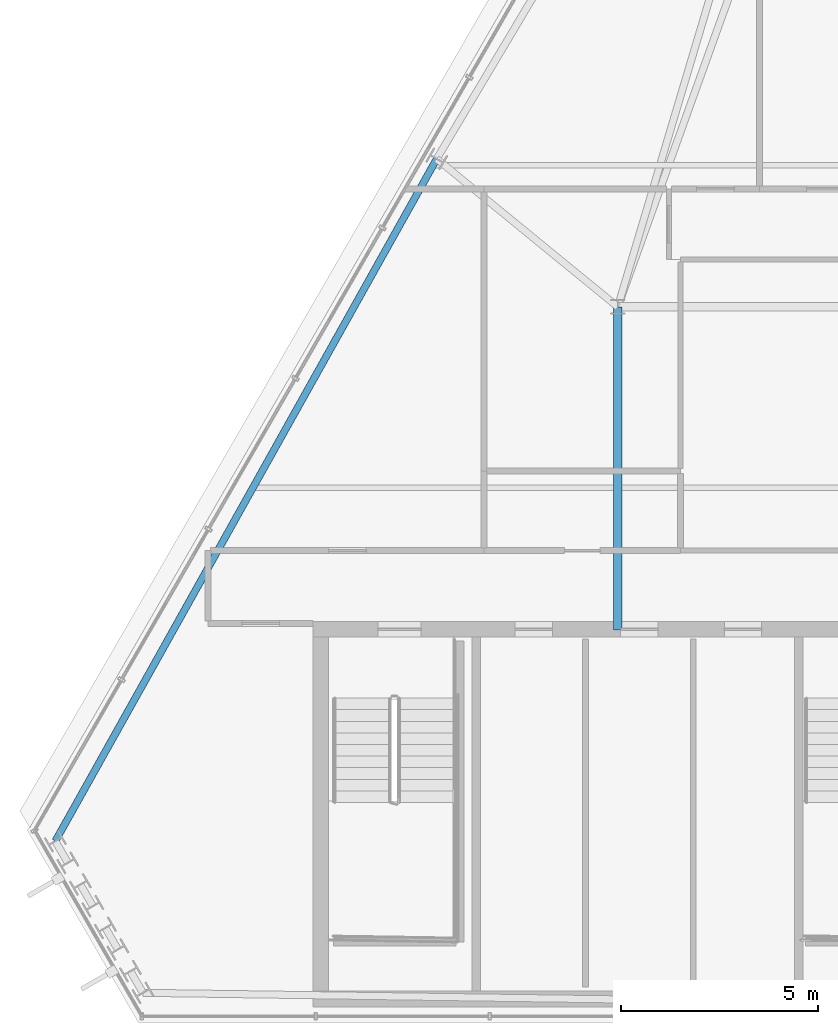
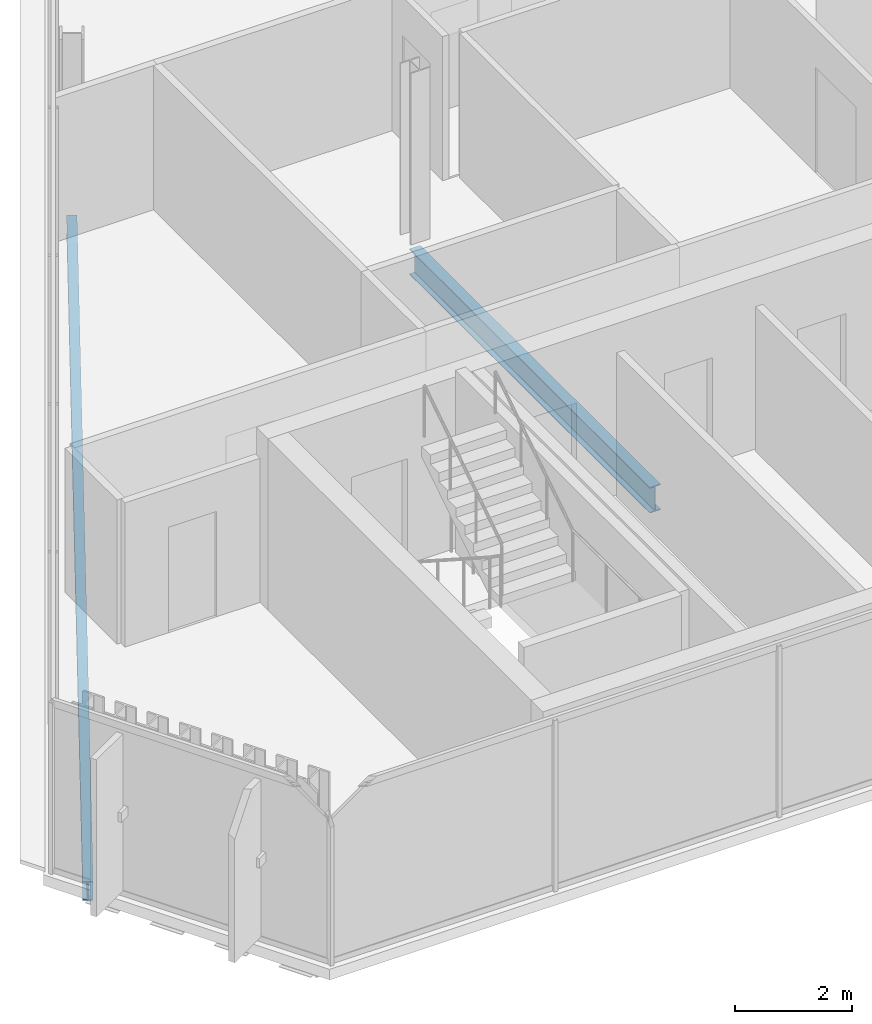
# One storey, part 7 of 34: 2 beams.
"""IFC4 building model written with IfcOpenShell, lengths in metres."""

from ifc_helpers import new_model, si_unit, direction, frame, origin, origin_2d, place, context, subcontext, project, spatial, i_section, extrude, material, material_profile, profile_set, type_object, element, save


model = new_model("IFC4")

# Units and contexts
model_context = context("Model", 3, precision=1e-05, world=origin(), true_north=direction((0.0, 1.0)))
body_context = subcontext(model_context, "Body", "Model", "MODEL_VIEW")
ifc_project = project(units=[si_unit("LENGTHUNIT", "METRE"), si_unit("AREAUNIT", "SQUARE_METRE"), si_unit("VOLUMEUNIT", "CUBIC_METRE"), si_unit("PLANEANGLEUNIT", "RADIAN"), si_unit("MASSUNIT", "GRAM", prefix="KILO")], contexts=[model_context])

# Site, building, storey
site_placement = place(None, origin())
site = spatial("IfcSite", under=ifc_project, at=site_placement, CompositionType="ELEMENT")
building_placement = place(site_placement, origin())
building = spatial("IfcBuilding", under=site, at=building_placement, Name="Ndaravel Arena Tower", CompositionType="ELEMENT")
storey_placement = place(building_placement, frame((0.0, 0.0, 263.60009765625)))
storey = spatial("IfcBuildingStorey", under=building, at=storey_placement, Name="L64", CompositionType="ELEMENT", Elevation=263.60009765625)

# Beams
ifc_material_1 = material(Name="Steel S355", Category="steel")
ifc_material_profile_1 = material_profile(ifc_material_1, i_section(OverallWidth=0.210693359375, OverallDepth=0.53955078125, WebThickness=0.01171875, FlangeThickness=0.018798828125, FilletRadius=0.0126953125, at=origin_2d()), Name="UB 533x210x109")
ifc_profile_set_1 = profile_set([ifc_material_profile_1], Name="Steel S355")
beam_type_1 = type_object("IfcBeamType", Name="BM-GIRD-UB533", PredefinedType="BEAM", material=ifc_profile_set_1)
beam_1_placement = place(storey_placement, frame((34.199951171875, 14.97998046875, -0.48974609375), z_axis=(0.0, 1.0, 0.0), x_axis=(-1.0, 0.0, 0.0)))
element("IfcBeam", 1, at=beam_1_placement, inside=storey, type_object=beam_type_1, Name="L64 Spine Link Girder SLG-01", PredefinedType="BEAM", context=body_context, shape_type="SweptSolid", body=[
    extrude(i_section(OverallWidth=0.210693359375, OverallDepth=0.53955078125, WebThickness=0.01171875, FlangeThickness=0.018798828125, FilletRadius=0.0126953125, at=origin_2d()), origin(), (0.0, 0.0, 1.0), 8.219970703125),
])
ifc_material_2 = material(Name="Steel S355", Category="steel")
ifc_material_profile_2 = material_profile(ifc_material_2, i_section(OverallWidth=0.179931640625, OverallDepth=0.39990234375, WebThickness=0.008544921875, FlangeThickness=0.013427734375, FilletRadius=0.02099609375, at=origin_2d()), Name="IPE 400")
ifc_profile_set_2 = profile_set([ifc_material_profile_2], Name="Steel S355")
beam_type_2 = type_object("IfcBeamType", Name="BM-SPAN-IPE400", PredefinedType="SPANDREL", material=ifc_profile_set_2)
beam_2_placement = place(storey_placement, frame((29.596435546875, 26.963623046875, -0.420166015625), z_axis=(-0.48794385324, -0.872875017449, 0.0), x_axis=(0.872875017449, -0.48794385324, 0.0)))
element("IfcBeam", 2, at=beam_2_placement, inside=storey, type_object=beam_type_2, Name="L64 Perimeter Spandrel Beam SP-19", PredefinedType="SPANDREL", context=body_context, shape_type="SweptSolid", body=[
    extrude(i_section(OverallWidth=0.179931640625, OverallDepth=0.39990234375, WebThickness=0.008544921875, FlangeThickness=0.013427734375, FilletRadius=0.02099609375, at=origin_2d()), origin(), (0.0, 0.0, 1.0), 19.877197265625),
])

save(model, "model.ifc")
